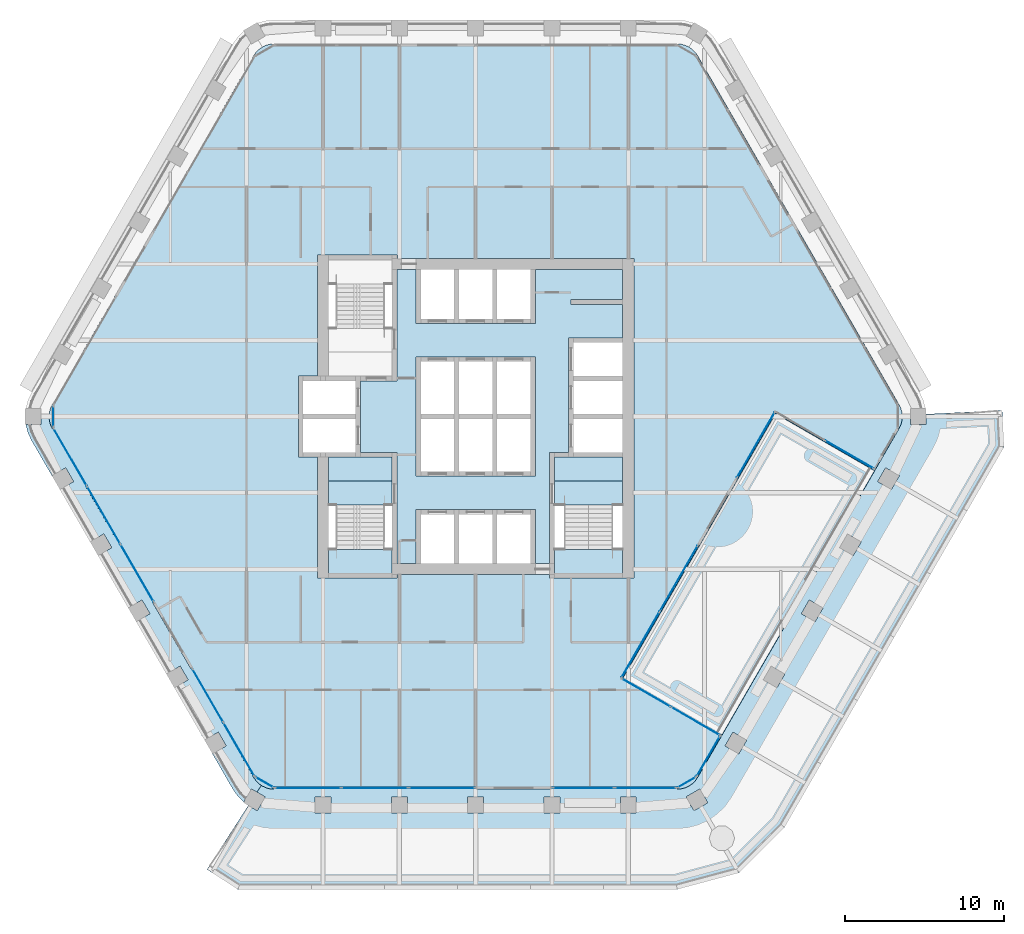
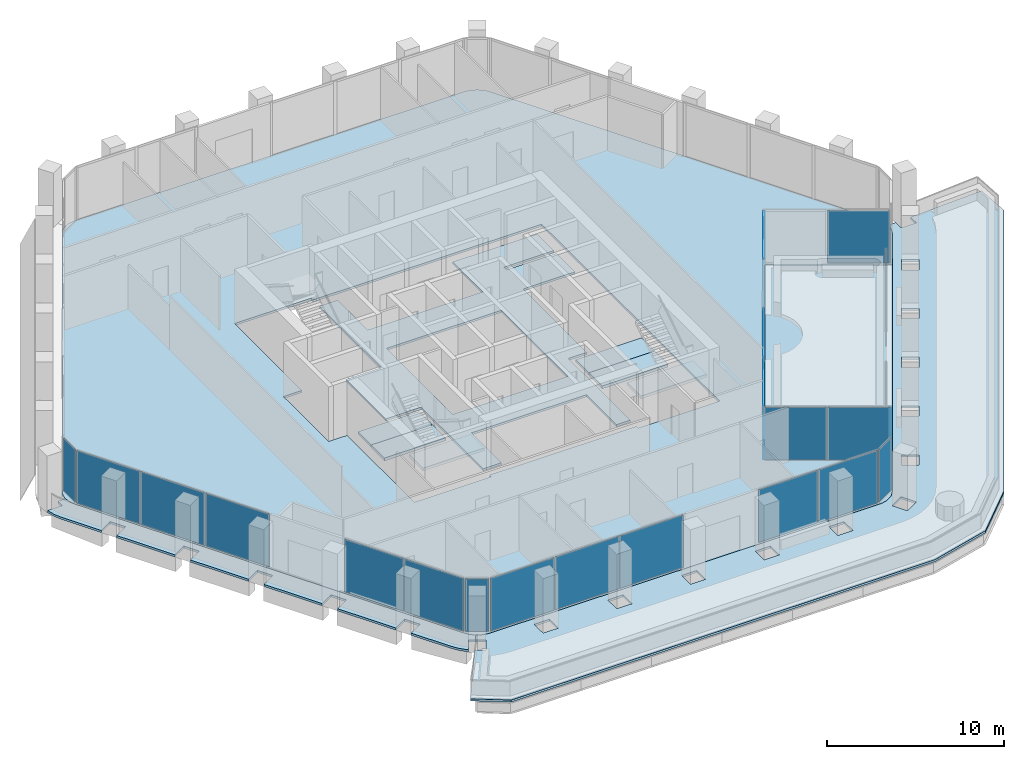
# One storey, part 8 of 17: 20 plates, 11 slabs, 14 elements without a shape of their own.
"""IFC4 building model written with IfcOpenShell, lengths in metres."""

from ifc_helpers import new_model, si_unit, direction, frame, origin, origin_2d, place, context, subcontext, project, spatial, polyline, rectangle, outline, extrude, material, layer, layer_set, type_object, element, aggregate, save


model = new_model("IFC4")

# Units and contexts
model_context = context("Model", 3, precision=1e-05, world=origin(), true_north=direction((0.0, 1.0)))
body_context = subcontext(model_context, "Body", "Model", "MODEL_VIEW")
ifc_project = project(units=[si_unit("LENGTHUNIT", "METRE"), si_unit("AREAUNIT", "SQUARE_METRE"), si_unit("VOLUMEUNIT", "CUBIC_METRE"), si_unit("PLANEANGLEUNIT", "RADIAN"), si_unit("MASSUNIT", "GRAM", prefix="KILO")], contexts=[model_context])

# Site, building, storey
site_placement = place(None, origin())
site = spatial("IfcSite", under=ifc_project, at=site_placement, CompositionType="ELEMENT")
building_placement = place(site_placement, origin())
building = spatial("IfcBuilding", under=site, at=building_placement, Name="Kolab Exchange Tower", CompositionType="ELEMENT")
storey_placement = place(building_placement, frame((0.0, 0.0, 197.300048828125)))
storey = spatial("IfcBuildingStorey", under=building, at=storey_placement, Name="L42", CompositionType="ELEMENT", Elevation=197.300048828125)

# Slabs
ifc_material_1 = material(Name="Concrete C35/45", Category="concrete")
ifc_layer_1 = layer(ifc_material_1, 0.14990234375)
ifc_layer_set_1 = layer_set([ifc_layer_1], Name="Concrete C35/45")
slab_type_1 = type_object("IfcSlabType", Name="FLOOR SLAB 150", PredefinedType="FLOOR", material=ifc_layer_set_1)
slab_1_placement = place(storey_placement, frame((0.0, 0.0, -0.150146484375)))
element("IfcSlab", 1, at=slab_1_placement, inside=storey, type_object=slab_type_1, Name="slab/L42/floor/0", PredefinedType="FLOOR", context=body_context, shape_type="SweptSolid", body=[
    extrude(outline(polyline([(13.967041015625, -22.691650390625), (15.5009765625, -20.03466796875), (9.265625, -16.4345703125), (18.865478515625, 0.193115234375), (25.10107421875, -3.406982421875), (26.635009765625, -0.75), (26.745361328125, -0.512939453125), (26.81298828125, -0.260498046875), (26.8359375, 0.0), (26.81298828125, 0.260498046875), (26.745361328125, 0.512939453125), (26.635009765625, 0.75), (13.967041015625, 22.691650390625), (13.81689453125, 22.90576171875), (13.632080078125, 23.090576171875), (13.41796875, 23.240478515625), (13.180908203125, 23.35107421875), (12.928466796875, 23.418701171875), (12.66796875, 23.441650390625), (-12.66796875, 23.441650390625), (-12.928466796875, 23.418701171875), (-13.180908203125, 23.35107421875), (-13.41796875, 23.240478515625), (-13.632080078125, 23.090576171875), (-13.81689453125, 22.90576171875), (-13.967041015625, 22.691650390625), (-26.635009765625, 0.75), (-26.745361328125, 0.512939453125), (-26.81298828125, 0.260498046875), (-26.8359375, 0.0), (-26.81298828125, -0.260498046875), (-26.745361328125, -0.512939453125), (-26.635009765625, -0.75), (-13.967041015625, -22.691650390625), (-13.81689453125, -22.90576171875), (-13.632080078125, -23.090576171875), (-13.41796875, -23.240478515625), (-13.180908203125, -23.35107421875), (-12.928466796875, -23.418701171875), (-12.66796875, -23.441650390625), (12.66796875, -23.441650390625), (12.928466796875, -23.418701171875), (13.180908203125, -23.35107421875), (13.41796875, -23.240478515625), (13.632080078125, -23.090576171875), (13.81689453125, -22.90576171875), (13.967041015625, -22.691650390625)]), holes=[polyline([(-9.25, -10.14990234375), (-9.949951171875, -10.14990234375), (-9.949951171875, -2.550048828125), (-10.85009765625, -2.550048828125), (-11.14990234375, -2.550048828125), (-11.14990234375, 2.550048828125), (-10.85009765625, 2.550048828125), (-9.949951171875, 2.550048828125), (-9.949951171875, 10.14990234375), (-9.25, 10.14990234375), (-5.25, 10.14990234375), (-4.949951171875, 10.14990234375), (-4.949951171875, 9.949951171875), (9.25, 9.949951171875), (9.949951171875, 9.949951171875), (9.949951171875, -10.14990234375), (9.25, -10.14990234375), (4.949951171875, -10.14990234375), (4.64990234375, -10.14990234375), (4.64990234375, -9.949951171875), (-4.949951171875, -9.949951171875), (-4.949951171875, -10.14990234375), (-5.25, -10.14990234375), (-9.25, -10.14990234375)])]), origin(), (0.0, 0.0, 1.0), 0.150146484375),
])
slab_2_placement = place(storey_placement, frame((0.0, 0.0, -0.150146484375)))
element("IfcSlab", 2, at=slab_2_placement, inside=storey, type_object=slab_type_1, Name="slab/L42/floor/1", PredefinedType="FLOOR", context=body_context, shape_type="SweptSolid", body=[
    extrude(outline(polyline([(-4.949951171875, 9.25), (-4.949951171875, 2.25), (-5.25, 2.25), (-7.25, 2.25), (-7.25, -2.25), (-5.25, -2.25), (-4.949951171875, -2.25), (-4.949951171875, -9.25), (-3.75, -9.25), (-3.75, -5.85009765625), (-3.449951171875, -5.85009765625), (-1.35009765625, -5.85009765625), (-1.050048828125, -5.85009765625), (1.050048828125, -5.85009765625), (1.35009765625, -5.85009765625), (3.449951171875, -5.85009765625), (3.75, -5.85009765625), (3.75, -9.25), (4.64990234375, -9.25), (4.64990234375, -2.25), (4.949951171875, -2.25), (5.85009765625, -2.25), (5.85009765625, 4.949951171875), (6.14990234375, 4.949951171875), (9.25, 4.949951171875), (9.25, 7.050048828125), (6.0, 7.050048828125), (6.0, 7.35009765625), (9.25, 7.35009765625), (9.25, 9.25), (3.75, 9.25), (3.75, 5.85009765625), (3.449951171875, 5.85009765625), (1.35009765625, 5.85009765625), (1.050048828125, 5.85009765625), (-1.050048828125, 5.85009765625), (-1.35009765625, 5.85009765625), (-3.449951171875, 5.85009765625), (-3.75, 5.85009765625), (-3.75, 9.25), (-4.949951171875, 9.25)]), holes=[polyline([(-3.449951171875, -3.75), (-3.75, -3.75), (-3.75, 3.75), (-3.449951171875, 3.75), (-1.35009765625, 3.75), (-1.050048828125, 3.75), (1.050048828125, 3.75), (1.35009765625, 3.75), (3.449951171875, 3.75), (3.75, 3.75), (3.75, -3.75), (3.449951171875, -3.75), (1.35009765625, -3.75), (1.050048828125, -3.75), (-1.050048828125, -3.75), (-1.35009765625, -3.75), (-3.449951171875, -3.75)])]), origin(), (0.0, 0.0, 1.0), 0.150146484375),
])
slab_3_placement = place(storey_placement, frame((0.0, 0.0, -0.150146484375)))
element("IfcSlab", 3, at=slab_3_placement, inside=storey, type_object=slab_type_1, Name="slab/L42/floor/2", PredefinedType="FLOOR", context=body_context, shape_type="SweptSolid", body=[
    extrude(outline(polyline([(4.949951171875, -4.050048828125), (9.25, -4.050048828125), (9.25, -2.550048828125), (6.14990234375, -2.550048828125), (5.85009765625, -2.550048828125), (4.949951171875, -2.550048828125), (4.949951171875, -4.050048828125)])), origin(), (0.0, 0.0, 1.0), 0.150146484375),
])
slab_4_placement = place(storey_placement, frame((0.0, 0.0, -0.150146484375)))
element("IfcSlab", 4, at=slab_4_placement, inside=storey, type_object=slab_type_1, Name="slab/L42/floor/3", PredefinedType="FLOOR", context=body_context, shape_type="SweptSolid", body=[
    extrude(outline(polyline([(-7.550048828125, -2.550048828125), (-9.25, -2.550048828125), (-9.25, -4.050048828125), (-5.25, -4.050048828125), (-5.25, -2.550048828125), (-7.25, -2.550048828125), (-7.550048828125, -2.550048828125)])), origin(), (0.0, 0.0, 1.0), 0.150146484375),
])
ifc_layer_2 = layer(ifc_material_1, 0.14990234375)
ifc_layer_set_2 = layer_set([ifc_layer_2], Name="Concrete C35/45")
slab_type_2 = type_object("IfcSlabType", Name="LOGGIA SLAB 150", PredefinedType="FLOOR", material=ifc_layer_set_2)
slab_5_placement = place(storey_placement, frame((0.0, 0.0, -0.150146484375)))
element("IfcSlab", 5, at=slab_5_placement, inside=storey, type_object=slab_type_2, Name="slab/L42/loggia/4-0", PredefinedType="FLOOR", context=body_context, shape_type="SweptSolid", body=[
    extrude(outline(polyline([(-26.81298828125, -0.260498046875), (-26.8359375, 0.0), (-27.3359375, 0.0), (-27.3359375, -0.5), (-28.292236328125, -0.5), (-28.290283203125, -0.52099609375), (-28.155029296875, -1.026123046875), (-27.93408203125, -1.5), (-26.64990234375, -3.723876953125), (-25.783935546875, -3.223876953125), (-25.283935546875, -4.08984375), (-26.14990234375, -4.58984375), (-24.25, -7.880859375), (-23.384033203125, -7.380859375), (-22.884033203125, -8.246826171875), (-23.75, -8.746826171875), (-21.85009765625, -12.037841796875), (-20.98388671875, -11.537841796875), (-20.48388671875, -12.40380859375), (-21.35009765625, -12.90380859375), (-19.449951171875, -16.194580078125), (-18.583984375, -15.694580078125), (-18.083984375, -16.560791015625), (-18.949951171875, -17.060791015625), (-17.050048828125, -20.3515625), (-16.18408203125, -19.8515625), (-15.68408203125, -20.717529296875), (-16.550048828125, -21.217529296875), (-15.26611328125, -23.441650390625), (-14.966064453125, -23.869873046875), (-14.59619140625, -24.23974609375), (-14.5791015625, -24.251708984375), (-14.10107421875, -23.423583984375), (-13.75537109375, -23.623046875), (-13.480224609375, -23.197021484375), (-13.632080078125, -23.090576171875), (-13.81689453125, -22.90576171875), (-13.967041015625, -22.691650390625), (-26.635009765625, -0.75), (-26.745361328125, -0.512939453125), (-26.81298828125, -0.260498046875)])), origin(), (0.0, 0.0, 1.0), 0.150146484375),
])

# Stair, slabs
ifc_material_2 = material(Name="Concrete C50/60", Category="concrete")
stair_type_1 = type_object("IfcStairType", Name="STAIR ST3 RISER 177.3", PredefinedType="HALF_TURN_STAIR", material=ifc_material_2)
stair_1_placement = place(storey_placement, origin())
stair_1 = element("IfcStair", 6, at=stair_1_placement, inside=storey, type_object=stair_type_1, Name="Stair 3", PredefinedType="HALF_TURN_STAIR")
ifc_layer_3 = layer(ifc_material_2, 0.199951171875)
ifc_layer_set_3 = layer_set([ifc_layer_3], Name="Concrete C50/60")
slab_type_3 = type_object("IfcSlabType", Name="STAIR LANDING 200", PredefinedType="LANDING", material=ifc_layer_set_3)
slab_6_placement = place(storey_placement, frame((0.0, 0.0, -0.199951171875)))
slab_6 = element("IfcSlab", 7, at=slab_6_placement, type_object=slab_type_3, Name="ST3 landing 1", PredefinedType="LANDING", context=body_context, shape_type="SweptSolid", body=[
    extrude(outline(polyline([(-9.25, -5.550048828125), (-5.25, -5.550048828125), (-5.25, -4.050048828125), (-9.25, -4.050048828125), (-9.25, -5.550048828125)])), origin(), (0.0, 0.0, 1.0), 0.199951171875),
])
slab_7_placement = place(storey_placement, frame((0.0, 0.0, 1.75)))
slab_7 = element("IfcSlab", 8, at=slab_7_placement, type_object=slab_type_3, Name="ST3 landing 2", PredefinedType="LANDING", context=body_context, shape_type="SweptSolid", body=[
    extrude(outline(polyline([(-9.25, -9.909912109375), (-5.25, -9.909912109375), (-5.25, -8.35009765625), (-9.25, -8.35009765625), (-9.25, -9.909912109375)])), origin(), (0.0, 0.0, 1.0), 0.199951171875),
])
aggregate(stair_1, [slab_6, slab_7])

stair_type_2 = type_object("IfcStairType", Name="STAIR ST2 RISER 177.3", PredefinedType="HALF_TURN_STAIR", material=ifc_material_2)
stair_2_placement = place(storey_placement, origin())
stair_2 = element("IfcStair", 9, at=stair_2_placement, inside=storey, type_object=stair_type_2, Name="Stair 2", PredefinedType="HALF_TURN_STAIR")
slab_8_placement = place(storey_placement, frame((0.0, 0.0, -0.199951171875)))
slab_8 = element("IfcSlab", 10, at=slab_8_placement, type_object=slab_type_3, Name="ST2 landing 1", PredefinedType="LANDING", context=body_context, shape_type="SweptSolid", body=[
    extrude(outline(polyline([(4.949951171875, -5.550048828125), (9.25, -5.550048828125), (9.25, -4.050048828125), (4.949951171875, -4.050048828125), (4.949951171875, -5.550048828125)])), origin(), (0.0, 0.0, 1.0), 0.199951171875),
])
slab_9_placement = place(storey_placement, frame((0.0, 0.0, 1.75)))
slab_9 = element("IfcSlab", 11, at=slab_9_placement, type_object=slab_type_3, Name="ST2 landing 2", PredefinedType="LANDING", context=body_context, shape_type="SweptSolid", body=[
    extrude(outline(polyline([(4.949951171875, -9.909912109375), (9.25, -9.909912109375), (9.25, -8.35009765625), (4.949951171875, -8.35009765625), (4.949951171875, -9.909912109375)])), origin(), (0.0, 0.0, 1.0), 0.199951171875),
])
aggregate(stair_2, [slab_8, slab_9])

# Slabs
ifc_layer_4 = layer(ifc_material_1, 0.14990234375)
ifc_layer_set_4 = layer_set([ifc_layer_4], Name="Concrete C35/45")
slab_type_4 = type_object("IfcSlabType", Name="TERRACE SLAB 150 PLANTED", PredefinedType="ROOF", material=ifc_layer_set_4)
slab_10_placement = place(storey_placement, frame((0.0, 0.0, -0.150146484375)))
element("IfcSlab", 12, at=slab_10_placement, inside=storey, type_object=slab_type_4, Name="Roof terrace", PredefinedType="ROOF", context=body_context, shape_type="SweptSolid", body=[
    extrude(outline(polyline([(25.10107421875, -3.406982421875), (18.865478515625, 0.193115234375), (9.265625, -16.4345703125), (15.5009765625, -20.03466796875), (25.10107421875, -3.406982421875)])), origin(), (0.0, 0.0, 1.0), 0.150146484375),
])
slab_11_placement = place(storey_placement, frame((0.0, 0.0, -0.150146484375)))
element("IfcSlab", 13, at=slab_11_placement, inside=storey, type_object=slab_type_4, Name="Roof terrace", PredefinedType="ROOF", context=body_context, shape_type="SweptSolid", body=[
    extrude(outline(polyline([(-16.8955078125, -28.4853515625), (-14.951171875, -29.741455078125), (12.66796875, -29.741455078125), (16.56787109375, -28.696533203125), (19.4228515625, -25.841552734375), (33.232421875, -1.9228515625), (33.232421875, -1.922607421875), (33.11669921875, 0.38916015625), (33.11669921875, 0.389404296875), (28.3359375, 0.150146484375), (28.3359375, -0.5), (27.3359375, -0.5), (27.3359375, 0.10009765625), (26.829345703125, 0.07470703125), (26.8359375, 0.000244140625), (26.8359375, 0.0), (26.8359375, -0.000244140625), (26.813232421875, -0.26025390625), (26.81298828125, -0.260498046875), (26.81298828125, -0.2607421875), (26.745361328125, -0.512939453125), (26.745361328125, -0.51318359375), (26.635009765625, -0.75), (13.967041015625, -22.69140625), (13.967041015625, -22.691650390625), (13.817138671875, -22.905517578125), (13.81689453125, -22.90576171875), (13.63232421875, -23.090576171875), (13.632080078125, -23.090576171875), (13.632080078125, -23.0908203125), (13.418212890625, -23.240478515625), (13.41796875, -23.240478515625), (13.417724609375, -23.24072265625), (13.18115234375, -23.35107421875), (13.180908203125, -23.35107421875), (12.9287109375, -23.418701171875), (12.928466796875, -23.418701171875), (12.92822265625, -23.418701171875), (12.66796875, -23.44140625), (12.66796875, -23.441650390625), (-12.66796875, -23.441650390625), (-12.66796875, -23.44140625), (-12.92822265625, -23.418701171875), (-12.928466796875, -23.418701171875), (-12.9287109375, -23.418701171875), (-13.180908203125, -23.35107421875), (-13.18115234375, -23.35107421875), (-13.417724609375, -23.24072265625), (-13.41796875, -23.240478515625), (-13.418212890625, -23.240478515625), (-13.479248046875, -23.197509765625), (-13.4794921875, -23.197509765625), (-13.754638671875, -23.62353515625), (-13.23486328125, -23.923583984375), (-13.73486328125, -24.78955078125), (-14.2978515625, -24.464599609375), (-16.8955078125, -28.4853515625)]), holes=[polyline([(-10.10009765625, -24.941650390625), (-10.10009765625, -23.941650390625), (-9.10009765625, -23.941650390625), (-9.10009765625, -24.941650390625), (-10.10009765625, -24.941650390625)]), polyline([(-0.5, -23.941650390625), (0.5, -23.941650390625), (0.5, -24.941650390625), (-0.5, -24.941650390625), (-0.5, -23.941650390625)]), polyline([(-5.300048828125, -23.941650390625), (-4.300048828125, -23.941650390625), (-4.300048828125, -24.941650390625), (-5.300048828125, -24.941650390625), (-5.300048828125, -23.941650390625)]), polyline([(4.300048828125, -23.941650390625), (5.300048828125, -23.941650390625), (5.300048828125, -24.941650390625), (4.300048828125, -24.941650390625), (4.300048828125, -23.941650390625)]), polyline([(9.10009765625, -23.941650390625), (10.10009765625, -23.941650390625), (10.10009765625, -24.941650390625), (9.10009765625, -24.941650390625), (9.10009765625, -23.941650390625)]), polyline([(13.23486328125, -23.923583984375), (14.10107421875, -23.423583984375), (14.60107421875, -24.28955078125), (13.73486328125, -24.78955078125), (13.23486328125, -23.923583984375)]), polyline([(15.68408203125, -20.717529296875), (16.18408203125, -19.8515625), (17.050048828125, -20.3515625), (16.550048828125, -21.217529296875), (15.68408203125, -20.717529296875)]), polyline([(18.083984375, -16.560791015625), (18.583984375, -15.694580078125), (19.449951171875, -16.194580078125), (18.949951171875, -17.060791015625), (18.083984375, -16.560791015625)]), polyline([(20.48388671875, -12.40380859375), (20.98388671875, -11.537841796875), (21.85009765625, -12.037841796875), (21.35009765625, -12.90380859375), (20.48388671875, -12.40380859375)]), polyline([(23.75, -8.746826171875), (22.884033203125, -8.246826171875), (23.384033203125, -7.380859375), (24.25, -7.880859375), (23.75, -8.746826171875)]), polyline([(25.283935546875, -4.08984375), (25.783935546875, -3.223876953125), (26.64990234375, -3.723876953125), (26.14990234375, -4.58984375), (25.283935546875, -4.08984375)])]), origin(), (0.0, 0.0, 1.0), 0.150146484375),
])

# Curtain wall, plate
ifc_material_3 = material(Name="Aluminium EN AW-6063 T6", Category="aluminium")
curtain_wall_type = type_object("IfcCurtainWallType", Name="UNITISED UPPER MID ZONE CURTAIN WALL", PredefinedType="NOTDEFINED", material=ifc_material_3)
curtain_wall_1_placement = place(storey_placement, origin())
curtain_wall_1 = element("IfcCurtainWall", 14, at=curtain_wall_1_placement, inside=storey, type_object=curtain_wall_type, Name="cw/L42/F3-rl-1", PredefinedType="NOTDEFINED")
ifc_material_4 = material(Name="Clear insulated glazing unit", Category="glass")
ifc_layer_5 = layer(ifc_material_4, 0.028076171875)
ifc_layer_set_5 = layer_set([ifc_layer_5], Name="Clear insulated glazing unit")
plate_type = type_object("IfcPlateType", Name="UNITISED UPPER MID ZONE GLASS PANEL 28", PredefinedType="CURTAIN_PANEL", material=ifc_layer_set_5)
plate_1_placement = place(storey_placement, frame((23.499755859375, -2.39013671875, 0.06005859375), z_axis=(0.0, 0.0, 1.0), x_axis=(-0.866025407005, 0.499999994423, 0.0)))
plate_1 = element("IfcPlate", 15, at=plate_1_placement, type_object=plate_type, Name="CW3 panel 1.1", PredefinedType="CURTAIN_PANEL", context=body_context, shape_type="SweptSolid", body=[
    extrude(rectangle(XDim=3.510009765625, YDim=0.028076171875, at=origin_2d()), origin(), (0.0, 0.0, 1.0), 3.6298828125),
])
aggregate(curtain_wall_1, [plate_1])

curtain_wall_2_placement = place(storey_placement, origin())
curtain_wall_2 = element("IfcCurtainWall", 16, at=curtain_wall_2_placement, inside=storey, type_object=curtain_wall_type, Name="cw/L42/F3-back-1", PredefinedType="NOTDEFINED")
plate_2_placement = place(storey_placement, frame((17.626220703125, -1.79345703125, 0.06005859375), z_axis=(0.0, 0.0, 1.0), x_axis=(-0.499999995919, -0.866025406141, 0.0)))
plate_2 = element("IfcPlate", 17, at=plate_2_placement, type_object=plate_type, Name="CW3 panel 1.1", PredefinedType="CURTAIN_PANEL", context=body_context, shape_type="SweptSolid", body=[
    extrude(rectangle(XDim=4.719970703125, YDim=0.028076171875, at=origin_2d()), origin(), (0.0, 0.0, 1.0), 3.6298828125),
])
aggregate(curtain_wall_2, [plate_2])

# Curtain wall, plates
curtain_wall_3_placement = place(storey_placement, origin())
curtain_wall_3 = element("IfcCurtainWall", 18, at=curtain_wall_3_placement, inside=storey, type_object=curtain_wall_type, Name="cw/L42/F3-back-2", PredefinedType="NOTDEFINED")
plate_3_placement = place(storey_placement, frame((12.77880859375, -10.189453125, 0.06005859375), z_axis=(0.0, 0.0, 1.0), x_axis=(-0.499999995919, -0.866025406141, 0.0)))
plate_3 = element("IfcPlate", 19, at=plate_3_placement, type_object=plate_type, Name="CW3 panel 1.1", PredefinedType="CURTAIN_PANEL", context=body_context, shape_type="SweptSolid", body=[
    extrude(rectangle(XDim=4.75, YDim=0.028076171875, at=origin_2d()), origin(), (0.0, 0.0, 1.0), 3.6298828125),
])
plate_4_placement = place(storey_placement, frame((10.373779296875, -14.355224609375, 0.06005859375), z_axis=(0.0, 0.0, 1.0), x_axis=(-0.499999995919, -0.866025406141, 0.0)))
plate_4 = element("IfcPlate", 20, at=plate_4_placement, type_object=plate_type, Name="CW3 panel 2.1", PredefinedType="CURTAIN_PANEL", context=body_context, shape_type="SweptSolid", body=[
    extrude(rectangle(XDim=4.75, YDim=0.028076171875, at=origin_2d()), origin(), (0.0, 0.0, 1.0), 3.6298828125),
])
aggregate(curtain_wall_3, [plate_3, plate_4])

curtain_wall_4_placement = place(storey_placement, origin())
curtain_wall_4 = element("IfcCurtainWall", 21, at=curtain_wall_4_placement, inside=storey, type_object=curtain_wall_type, Name="cw/L42/F3-rr-1", PredefinedType="NOTDEFINED")
plate_5_placement = place(storey_placement, frame((10.72802734375, -17.371337890625, 0.06005859375), z_axis=(0.0, 0.0, 1.0), x_axis=(0.866025407005, -0.499999994423, 0.0)))
plate_5 = element("IfcPlate", 22, at=plate_5_placement, type_object=plate_type, Name="CW3 panel 1.1", PredefinedType="CURTAIN_PANEL", context=body_context, shape_type="SweptSolid", body=[
    extrude(rectangle(XDim=3.510009765625, YDim=0.028076171875, at=origin_2d()), origin(), (0.0, 0.0, 1.0), 3.6298828125),
])
plate_6_placement = place(storey_placement, frame((13.81982421875, -19.156494140625, 0.06005859375), z_axis=(0.0, 0.0, 1.0), x_axis=(0.866025407005, -0.499999994423, 0.0)))
plate_6 = element("IfcPlate", 23, at=plate_6_placement, type_object=plate_type, Name="CW3 panel 2.1", PredefinedType="CURTAIN_PANEL", context=body_context, shape_type="SweptSolid", body=[
    extrude(rectangle(XDim=3.510009765625, YDim=0.028076171875, at=origin_2d()), origin(), (0.0, 0.0, 1.0), 3.6298828125),
])
aggregate(curtain_wall_4, [plate_5, plate_6])

# Curtain wall, plate
curtain_wall_5_placement = place(storey_placement, origin())
curtain_wall_5 = element("IfcCurtainWall", 24, at=curtain_wall_5_placement, inside=storey, type_object=curtain_wall_type, Name="cw/L42/F3-r-1", PredefinedType="NOTDEFINED")
plate_7_placement = place(storey_placement, frame((14.644775390625, -21.357666015625, 0.06005859375), z_axis=(0.0, 0.0, 1.0), x_axis=(-0.500000087712, -0.866025353144, 0.0)))
plate_7 = element("IfcPlate", 25, at=plate_7_placement, type_object=plate_type, Name="CW3 panel 1.1", PredefinedType="CURTAIN_PANEL", context=body_context, shape_type="SweptSolid", body=[
    extrude(rectangle(XDim=2.867919921875, YDim=0.028076171875, at=origin_2d()), origin(), (0.0, 0.0, 1.0), 3.6298828125),
])
aggregate(curtain_wall_5, [plate_7])

# Curtain wall, plates
curtain_wall_6_placement = place(storey_placement, origin())
curtain_wall_6 = element("IfcCurtainWall", 26, at=curtain_wall_6_placement, inside=storey, type_object=curtain_wall_type, Name="cw/L42/F4-1", PredefinedType="NOTDEFINED")
plate_8_placement = place(storey_placement, frame((10.68603515625, -23.361572265625, 0.06005859375), z_axis=(0.0, 0.0, 1.0), x_axis=(-1.0, 0.0, 0.0)))
plate_8 = element("IfcPlate", 27, at=plate_8_placement, type_object=plate_type, Name="CW3 panel 1.1", PredefinedType="CURTAIN_PANEL", context=body_context, shape_type="SweptSolid", body=[
    extrude(rectangle(XDim=3.843994140625, YDim=0.028076171875, at=origin_2d()), origin(), (0.0, 0.0, 1.0), 3.6298828125),
])
plate_9_placement = place(storey_placement, frame((6.781982421875, -23.361572265625, 0.06005859375), z_axis=(0.0, 0.0, 1.0), x_axis=(-1.0, 0.0, 0.0)))
plate_9 = element("IfcPlate", 28, at=plate_9_placement, type_object=plate_type, Name="CW3 panel 2.1", PredefinedType="CURTAIN_PANEL", context=body_context, shape_type="SweptSolid", body=[
    extrude(rectangle(XDim=3.843994140625, YDim=0.028076171875, at=origin_2d()), origin(), (0.0, 0.0, 1.0), 3.6298828125),
])
aggregate(curtain_wall_6, [plate_8, plate_9])

curtain_wall_7_placement = place(storey_placement, origin())
curtain_wall_7 = element("IfcCurtainWall", 29, at=curtain_wall_7_placement, inside=storey, type_object=curtain_wall_type, Name="cw/L42/F4-2", PredefinedType="NOTDEFINED")
plate_10_placement = place(storey_placement, frame((-2.126220703125, -23.361572265625, 0.06005859375), z_axis=(0.0, 0.0, 1.0), x_axis=(-1.0, 0.0, 0.0)))
plate_10 = element("IfcPlate", 30, at=plate_10_placement, type_object=plate_type, Name="CW3 panel 1.1", PredefinedType="CURTAIN_PANEL", context=body_context, shape_type="SweptSolid", body=[
    extrude(rectangle(XDim=4.132568359375, YDim=0.028076171875, at=origin_2d()), origin(), (0.0, 0.0, 1.0), 3.6298828125),
])
plate_11_placement = place(storey_placement, frame((-6.333984375, -23.361572265625, 0.06005859375), z_axis=(0.0, 0.0, 1.0), x_axis=(-1.0, 0.0, 0.0)))
plate_11 = element("IfcPlate", 31, at=plate_11_placement, type_object=plate_type, Name="CW3 panel 2.1", PredefinedType="CURTAIN_PANEL", context=body_context, shape_type="SweptSolid", body=[
    extrude(rectangle(XDim=4.16259765625, YDim=0.028076171875, at=origin_2d()), origin(), (0.0, 0.0, 1.0), 3.6298828125),
])
plate_12_placement = place(storey_placement, frame((-10.54150390625, -23.361572265625, 0.06005859375), z_axis=(0.0, 0.0, 1.0), x_axis=(-1.0, 0.0, 0.0)))
plate_12 = element("IfcPlate", 32, at=plate_12_placement, type_object=plate_type, Name="CW3 panel 3.1", PredefinedType="CURTAIN_PANEL", context=body_context, shape_type="SweptSolid", body=[
    extrude(rectangle(XDim=4.132568359375, YDim=0.028076171875, at=origin_2d()), origin(), (0.0, 0.0, 1.0), 3.6298828125),
])
aggregate(curtain_wall_7, [plate_10, plate_11, plate_12])

curtain_wall_8_placement = place(storey_placement, origin())
curtain_wall_8 = element("IfcCurtainWall", 33, at=curtain_wall_8_placement, inside=storey, type_object=curtain_wall_type, Name="cw/L42/F5-1", PredefinedType="NOTDEFINED")
plate_13_placement = place(storey_placement, frame((-14.888671875, -20.93505859375, 0.06005859375), z_axis=(0.0, 0.0, 1.0), x_axis=(-0.500000031681, 0.866025385493, 0.0)))
plate_13 = element("IfcPlate", 34, at=plate_13_placement, type_object=plate_type, Name="CW3 panel 1.1", PredefinedType="CURTAIN_PANEL", context=body_context, shape_type="SweptSolid", body=[
    extrude(rectangle(XDim=3.843994140625, YDim=0.028076171875, at=origin_2d()), origin(), (0.0, 0.0, 1.0), 3.6298828125),
])
plate_14_placement = place(storey_placement, frame((-16.840576171875, -17.55419921875, 0.06005859375), z_axis=(0.0, 0.0, 1.0), x_axis=(-0.500000031681, 0.866025385493, 0.0)))
plate_14 = element("IfcPlate", 35, at=plate_14_placement, type_object=plate_type, Name="CW3 panel 2.1", PredefinedType="CURTAIN_PANEL", context=body_context, shape_type="SweptSolid", body=[
    extrude(rectangle(XDim=3.843994140625, YDim=0.028076171875, at=origin_2d()), origin(), (0.0, 0.0, 1.0), 3.6298828125),
])
aggregate(curtain_wall_8, [plate_13, plate_14])

curtain_wall_9_placement = place(storey_placement, origin())
curtain_wall_9 = element("IfcCurtainWall", 36, at=curtain_wall_9_placement, inside=storey, type_object=curtain_wall_type, Name="cw/L42/F5-2", PredefinedType="NOTDEFINED")
plate_15_placement = place(storey_placement, frame((-21.294921875, -9.83935546875, 0.06005859375), z_axis=(0.0, 0.0, 1.0), x_axis=(-0.499999958358, 0.866025427826, 0.0)))
plate_15 = element("IfcPlate", 37, at=plate_15_placement, type_object=plate_type, Name="CW3 panel 1.1", PredefinedType="CURTAIN_PANEL", context=body_context, shape_type="SweptSolid", body=[
    extrude(rectangle(XDim=4.132568359375, YDim=0.028076171875, at=origin_2d()), origin(), (0.0, 0.0, 1.0), 3.6298828125),
])
plate_16_placement = place(storey_placement, frame((-23.398681640625, -6.1953125, 0.06005859375), z_axis=(0.0, 0.0, 1.0), x_axis=(-0.499999958358, 0.866025427826, 0.0)))
plate_16 = element("IfcPlate", 38, at=plate_16_placement, type_object=plate_type, Name="CW3 panel 2.1", PredefinedType="CURTAIN_PANEL", context=body_context, shape_type="SweptSolid", body=[
    extrude(rectangle(XDim=4.16259765625, YDim=0.028076171875, at=origin_2d()), origin(), (0.0, 0.0, 1.0), 3.6298828125),
])
plate_17_placement = place(storey_placement, frame((-25.50244140625, -2.551513671875, 0.06005859375), z_axis=(0.0, 0.0, 1.0), x_axis=(-0.499999958358, 0.866025427826, 0.0)))
plate_17 = element("IfcPlate", 39, at=plate_17_placement, type_object=plate_type, Name="CW3 panel 3.1", PredefinedType="CURTAIN_PANEL", context=body_context, shape_type="SweptSolid", body=[
    extrude(rectangle(XDim=4.132568359375, YDim=0.028076171875, at=origin_2d()), origin(), (0.0, 0.0, 1.0), 3.6298828125),
])
aggregate(curtain_wall_9, [plate_15, plate_16, plate_17])

# Curtain wall, plate
curtain_wall_10_placement = place(storey_placement, origin())
curtain_wall_10 = element("IfcCurtainWall", 40, at=curtain_wall_10_placement, inside=storey, type_object=curtain_wall_type, Name="cw/L42/F3F4-corner", PredefinedType="NOTDEFINED")
plate_18_placement = place(storey_placement, frame((13.28271484375, -23.006591796875, 0.06005859375), z_axis=(0.0, 0.0, 1.0), x_axis=(-0.866025390869, -0.50000002237, 0.0)))
plate_18 = element("IfcPlate", 41, at=plate_18_placement, type_object=plate_type, Name="CW3 panel 1.1", PredefinedType="CURTAIN_PANEL", context=body_context, shape_type="SweptSolid", body=[
    extrude(rectangle(XDim=1.300048828125, YDim=0.028076171875, at=origin_2d()), origin(), (0.0, 0.0, 1.0), 3.6298828125),
])
aggregate(curtain_wall_10, [plate_18])

curtain_wall_11_placement = place(storey_placement, origin())
curtain_wall_11 = element("IfcCurtainWall", 42, at=curtain_wall_11_placement, inside=storey, type_object=curtain_wall_type, Name="cw/L42/F4F5-corner", PredefinedType="NOTDEFINED")
plate_19_placement = place(storey_placement, frame((-13.28271484375, -23.006591796875, 0.06005859375), z_axis=(0.0, 0.0, 1.0), x_axis=(-0.866025390869, 0.50000002237, 0.0)))
plate_19 = element("IfcPlate", 43, at=plate_19_placement, type_object=plate_type, Name="CW3 panel 1.1", PredefinedType="CURTAIN_PANEL", context=body_context, shape_type="SweptSolid", body=[
    extrude(rectangle(XDim=1.300048828125, YDim=0.028076171875, at=origin_2d()), origin(), (0.0, 0.0, 1.0), 3.6298828125),
])
aggregate(curtain_wall_11, [plate_19])

curtain_wall_12_placement = place(storey_placement, origin())
curtain_wall_12 = element("IfcCurtainWall", 44, at=curtain_wall_12_placement, inside=storey, type_object=curtain_wall_type, Name="cw/L42/F5F6-corner", PredefinedType="NOTDEFINED")
plate_20_placement = place(storey_placement, frame((-26.565673828125, 0.0, 0.06005859375), z_axis=(0.0, 0.0, 1.0), x_axis=(0.0, 1.0, 0.0)))
plate_20 = element("IfcPlate", 45, at=plate_20_placement, type_object=plate_type, Name="CW3 panel 1.1", PredefinedType="CURTAIN_PANEL", context=body_context, shape_type="SweptSolid", body=[
    extrude(rectangle(XDim=1.300048828125, YDim=0.028076171875, at=origin_2d()), origin(), (0.0, 0.0, 1.0), 3.6298828125),
])
aggregate(curtain_wall_12, [plate_20])

save(model, "model.ifc")
